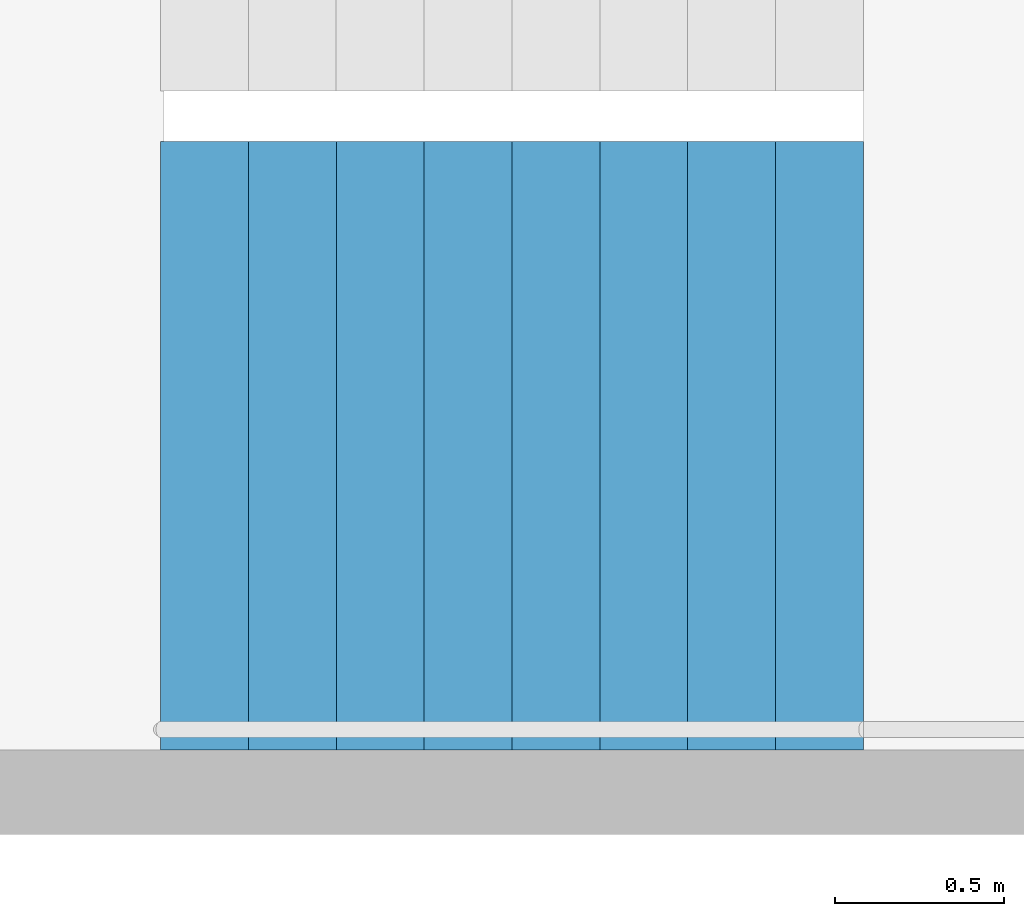
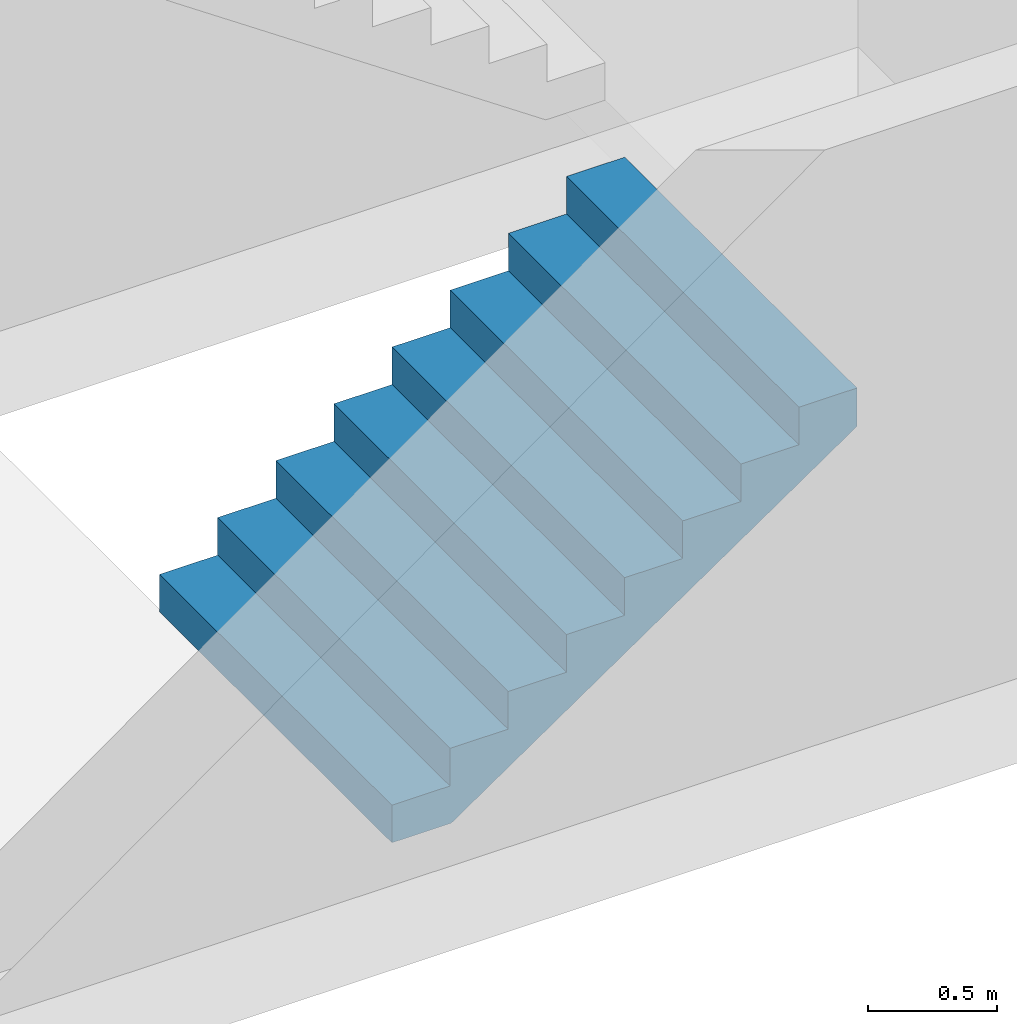
# One storey, part 23 of 29: 1 stair flight, 1 element without a shape of its own.
"""IFC4 building model written with IfcOpenShell, lengths in metres."""

from ifc_helpers import new_model, si_unit, direction, frame, origin, place, context, subcontext, project, spatial, triangles, material, type_object, element, aggregate, save


model = new_model("IFC4")

# Units and contexts
model_context = context("Model", 3, precision=1e-05, world=origin(), true_north=direction((0.0, 1.0)))
body_context = subcontext(model_context, "Body", "Model", "MODEL_VIEW")
ifc_project = project(units=[si_unit("LENGTHUNIT", "METRE"), si_unit("AREAUNIT", "SQUARE_METRE"), si_unit("VOLUMEUNIT", "CUBIC_METRE"), si_unit("PLANEANGLEUNIT", "RADIAN"), si_unit("MASSUNIT", "GRAM", prefix="KILO")], contexts=[model_context])

# Site, building, storey
site_placement = place(None, origin())
site = spatial("IfcSite", under=ifc_project, at=site_placement, CompositionType="ELEMENT")
building_placement = place(site_placement, origin())
building = spatial("IfcBuilding", under=site, at=building_placement, Name="Hakoniwa Tower and Hamabe Station Hall", CompositionType="ELEMENT")
storey_placement = place(building_placement, frame((0.0, 0.0, 29.39990234375)))
storey = spatial("IfcBuildingStorey", under=building, at=storey_placement, Name="L07", CompositionType="ELEMENT", Elevation=29.39990234375)

# Stair, stair flight
ifc_material_1 = material(Name="Concrete C40", Category="concrete")
stair_type = type_object("IfcStairType", Name="ESCAPE STAIR 1800", PredefinedType="HALF_TURN_STAIR", material=ifc_material_1)
stair_placement = place(storey_placement, origin())
stair = element("IfcStair", 1, at=stair_placement, inside=storey, type_object=stair_type, Name="Escape stair ST-1 L07", PredefinedType="HALF_TURN_STAIR")
ifc_material_2 = material(Name="Concrete C40", Category="concrete")
stair_flight_type = type_object("IfcStairFlightType", Name="STAIR FLIGHT 1800", PredefinedType="STRAIGHT", material=ifc_material_2)
stair_flight_placement = place(storey_placement, frame((-24.39990234375, 4.64990234375, 0.0), z_axis=(0.0, 0.0, 1.0), x_axis=(1.0, 0.0, 0.0)))
stair_flight = element("IfcStairFlight", 2, at=stair_flight_placement, type_object=stair_flight_type, Name="ST-1 flight 1", NumberOfRisers=9, NumberOfTreads=8, PredefinedType="STRAIGHT", RiserHeight=0.177777778, TreadLength=0.26, context=body_context, shape_type="Tessellation", body=[
    triangles([(0.0, 0.89990234375, 0.0), (0.260009765625, 0.89990234375, 0.0), (0.265625, 0.89990234375, 0.0), (0.52001953125, 0.89990234375, 0.174072265625), (0.780029296875, 0.89990234375, 0.351806640625), (1.0400390625, 0.89990234375, 0.529541015625), (1.300048828125, 0.89990234375, 0.707275390625), (1.56005859375, 0.89990234375, 0.885009765625), (1.820068359375, 0.89990234375, 1.062744140625), (2.080078125, 0.89990234375, 1.24072265625), (2.080078125, 0.89990234375, 1.422119140625), (1.820068359375, 0.89990234375, 1.422119140625), (1.820068359375, 0.89990234375, 1.244384765625), (1.56005859375, 0.89990234375, 1.244384765625), (1.56005859375, 0.89990234375, 1.066650390625), (1.300048828125, 0.89990234375, 1.066650390625), (1.300048828125, 0.89990234375, 0.888916015625), (1.0400390625, 0.89990234375, 0.888916015625), (1.0400390625, 0.89990234375, 0.711181640625), (0.780029296875, 0.89990234375, 0.711181640625), (0.780029296875, 0.89990234375, 0.533447265625), (0.52001953125, 0.89990234375, 0.533447265625), (0.52001953125, 0.89990234375, 0.35546875), (0.265625, 0.89990234375, 0.35546875), (0.260009765625, 0.89990234375, 0.35546875), (0.260009765625, 0.89990234375, 0.177734375), (0.0, 0.89990234375, 0.177734375), (0.0, 0.06005859375, 0.0), (0.260009765625, 0.06005859375, 0.0), (0.265625, 0.06005859375, 0.0), (0.52001953125, 0.06005859375, 0.174072265625), (0.780029296875, 0.06005859375, 0.351806640625), (1.0400390625, 0.06005859375, 0.529541015625), (1.300048828125, 0.06005859375, 0.707275390625), (1.56005859375, 0.06005859375, 0.885009765625), (1.820068359375, 0.06005859375, 1.062744140625), (2.080078125, 0.06005859375, 1.24072265625), (2.080078125, 0.06005859375, 1.422119140625), (1.820068359375, 0.06005859375, 1.422119140625), (1.820068359375, 0.06005859375, 1.244384765625), (1.56005859375, 0.06005859375, 1.244384765625), (1.56005859375, 0.06005859375, 1.066650390625), (1.300048828125, 0.06005859375, 1.066650390625), (1.300048828125, 0.06005859375, 0.888916015625), (1.0400390625, 0.06005859375, 0.888916015625), (1.0400390625, 0.06005859375, 0.711181640625), (0.780029296875, 0.06005859375, 0.711181640625), (0.780029296875, 0.06005859375, 0.533447265625), (0.52001953125, 0.06005859375, 0.533447265625), (0.52001953125, 0.06005859375, 0.35546875), (0.265625, 0.06005859375, 0.35546875), (0.260009765625, 0.06005859375, 0.35546875), (0.260009765625, 0.06005859375, 0.177734375), (0.0, 0.06005859375, 0.177734375), (0.0, 0.04296875, 0.0), (0.260009765625, 0.04296875, 0.0), (0.265625, 0.04296875, 0.0), (0.52001953125, 0.04296875, 0.174072265625), (0.780029296875, 0.04296875, 0.351806640625), (1.0400390625, 0.04296875, 0.529541015625), (1.300048828125, 0.04296875, 0.707275390625), (1.56005859375, 0.04296875, 0.885009765625), (1.820068359375, 0.04296875, 1.062744140625), (2.080078125, 0.04296875, 1.24072265625), (2.080078125, 0.04296875, 1.422119140625), (1.820068359375, 0.04296875, 1.422119140625), (1.820068359375, 0.04296875, 1.244384765625), (1.56005859375, 0.04296875, 1.244384765625), (1.56005859375, 0.04296875, 1.066650390625), (1.300048828125, 0.04296875, 1.066650390625), (1.300048828125, 0.04296875, 0.888916015625), (1.0400390625, 0.04296875, 0.888916015625), (1.0400390625, 0.04296875, 0.711181640625), (0.780029296875, 0.04296875, 0.711181640625), (0.780029296875, 0.04296875, 0.533447265625), (0.52001953125, 0.04296875, 0.533447265625), (0.52001953125, 0.04296875, 0.35546875), (0.265625, 0.04296875, 0.35546875), (0.260009765625, 0.04296875, 0.35546875), (0.260009765625, 0.04296875, 0.177734375), (0.0, 0.04296875, 0.177734375), (0.0, 0.025634765625, 0.0), (0.260009765625, 0.025634765625, 0.0), (0.265625, 0.025634765625, 0.0), (0.52001953125, 0.025634765625, 0.174072265625), (0.780029296875, 0.025634765625, 0.351806640625), (1.0400390625, 0.025634765625, 0.529541015625), (1.300048828125, 0.025634765625, 0.707275390625), (1.56005859375, 0.025634765625, 0.885009765625), (1.820068359375, 0.025634765625, 1.062744140625), (2.080078125, 0.025634765625, 1.24072265625), (2.080078125, 0.025634765625, 1.422119140625), (1.820068359375, 0.025634765625, 1.422119140625), (1.820068359375, 0.025634765625, 1.244384765625), (1.56005859375, 0.025634765625, 1.244384765625), (1.56005859375, 0.025634765625, 1.066650390625), (1.300048828125, 0.025634765625, 1.066650390625), (1.300048828125, 0.025634765625, 0.888916015625), (1.0400390625, 0.025634765625, 0.888916015625), (1.0400390625, 0.025634765625, 0.711181640625), (0.780029296875, 0.025634765625, 0.711181640625), (0.780029296875, 0.025634765625, 0.533447265625), (0.52001953125, 0.025634765625, 0.533447265625), (0.52001953125, 0.025634765625, 0.35546875), (0.265625, 0.025634765625, 0.35546875), (0.260009765625, 0.025634765625, 0.35546875), (0.260009765625, 0.025634765625, 0.177734375), (0.0, 0.025634765625, 0.177734375), (0.0, 0.008544921875, 0.0), (0.260009765625, 0.008544921875, 0.0), (0.265625, 0.008544921875, 0.0), (0.52001953125, 0.008544921875, 0.174072265625), (0.780029296875, 0.008544921875, 0.351806640625), (1.0400390625, 0.008544921875, 0.529541015625), (1.300048828125, 0.008544921875, 0.707275390625), (1.56005859375, 0.008544921875, 0.885009765625), (1.820068359375, 0.008544921875, 1.062744140625), (2.080078125, 0.008544921875, 1.24072265625), (2.080078125, 0.008544921875, 1.422119140625), (1.820068359375, 0.008544921875, 1.422119140625), (1.820068359375, 0.008544921875, 1.244384765625), (1.56005859375, 0.008544921875, 1.244384765625), (1.56005859375, 0.008544921875, 1.066650390625), (1.300048828125, 0.008544921875, 1.066650390625), (1.300048828125, 0.008544921875, 0.888916015625), (1.0400390625, 0.008544921875, 0.888916015625), (1.0400390625, 0.008544921875, 0.711181640625), (0.780029296875, 0.008544921875, 0.711181640625), (0.780029296875, 0.008544921875, 0.533447265625), (0.52001953125, 0.008544921875, 0.533447265625), (0.52001953125, 0.008544921875, 0.35546875), (0.265625, 0.008544921875, 0.35546875), (0.260009765625, 0.008544921875, 0.35546875), (0.260009765625, 0.008544921875, 0.177734375), (0.0, 0.008544921875, 0.177734375), (0.0, -0.008544921875, 0.0), (0.260009765625, -0.008544921875, 0.0), (0.265625, -0.008544921875, 0.0), (0.52001953125, -0.008544921875, 0.174072265625), (0.780029296875, -0.008544921875, 0.351806640625), (1.0400390625, -0.008544921875, 0.529541015625), (1.300048828125, -0.008544921875, 0.707275390625), (1.56005859375, -0.008544921875, 0.885009765625), (1.820068359375, -0.008544921875, 1.062744140625), (2.080078125, -0.008544921875, 1.24072265625), (2.080078125, -0.008544921875, 1.422119140625), (1.820068359375, -0.008544921875, 1.422119140625), (1.820068359375, -0.008544921875, 1.244384765625), (1.56005859375, -0.008544921875, 1.244384765625), (1.56005859375, -0.008544921875, 1.066650390625), (1.300048828125, -0.008544921875, 1.066650390625), (1.300048828125, -0.008544921875, 0.888916015625), (1.0400390625, -0.008544921875, 0.888916015625), (1.0400390625, -0.008544921875, 0.711181640625), (0.780029296875, -0.008544921875, 0.711181640625), (0.780029296875, -0.008544921875, 0.533447265625), (0.52001953125, -0.008544921875, 0.533447265625), (0.52001953125, -0.008544921875, 0.35546875), (0.265625, -0.008544921875, 0.35546875), (0.260009765625, -0.008544921875, 0.35546875), (0.260009765625, -0.008544921875, 0.177734375), (0.0, -0.008544921875, 0.177734375), (0.0, -0.025634765625, 0.0), (0.260009765625, -0.025634765625, 0.0), (0.265625, -0.025634765625, 0.0), (0.52001953125, -0.025634765625, 0.174072265625), (0.780029296875, -0.025634765625, 0.351806640625), (1.0400390625, -0.025634765625, 0.529541015625), (1.300048828125, -0.025634765625, 0.707275390625), (1.56005859375, -0.025634765625, 0.885009765625), (1.820068359375, -0.025634765625, 1.062744140625), (2.080078125, -0.025634765625, 1.24072265625), (2.080078125, -0.025634765625, 1.422119140625), (1.820068359375, -0.025634765625, 1.422119140625), (1.820068359375, -0.025634765625, 1.244384765625), (1.56005859375, -0.025634765625, 1.244384765625), (1.56005859375, -0.025634765625, 1.066650390625), (1.300048828125, -0.025634765625, 1.066650390625), (1.300048828125, -0.025634765625, 0.888916015625), (1.0400390625, -0.025634765625, 0.888916015625), (1.0400390625, -0.025634765625, 0.711181640625), (0.780029296875, -0.025634765625, 0.711181640625), (0.780029296875, -0.025634765625, 0.533447265625), (0.52001953125, -0.025634765625, 0.533447265625), (0.52001953125, -0.025634765625, 0.35546875), (0.265625, -0.025634765625, 0.35546875), (0.260009765625, -0.025634765625, 0.35546875), (0.260009765625, -0.025634765625, 0.177734375), (0.0, -0.025634765625, 0.177734375), (0.0, -0.04296875, 0.0), (0.260009765625, -0.04296875, 0.0), (0.265625, -0.04296875, 0.0), (0.52001953125, -0.04296875, 0.174072265625), (0.780029296875, -0.04296875, 0.351806640625), (1.0400390625, -0.04296875, 0.529541015625), (1.300048828125, -0.04296875, 0.707275390625), (1.56005859375, -0.04296875, 0.885009765625), (1.820068359375, -0.04296875, 1.062744140625), (2.080078125, -0.04296875, 1.24072265625), (2.080078125, -0.04296875, 1.422119140625), (1.820068359375, -0.04296875, 1.422119140625), (1.820068359375, -0.04296875, 1.244384765625), (1.56005859375, -0.04296875, 1.244384765625), (1.56005859375, -0.04296875, 1.066650390625), (1.300048828125, -0.04296875, 1.066650390625), (1.300048828125, -0.04296875, 0.888916015625), (1.0400390625, -0.04296875, 0.888916015625), (1.0400390625, -0.04296875, 0.711181640625), (0.780029296875, -0.04296875, 0.711181640625), (0.780029296875, -0.04296875, 0.533447265625), (0.52001953125, -0.04296875, 0.533447265625), (0.52001953125, -0.04296875, 0.35546875), (0.265625, -0.04296875, 0.35546875), (0.260009765625, -0.04296875, 0.35546875), (0.260009765625, -0.04296875, 0.177734375), (0.0, -0.04296875, 0.177734375), (0.0, -0.06005859375, 0.0), (0.260009765625, -0.06005859375, 0.0), (0.265625, -0.06005859375, 0.0), (0.52001953125, -0.06005859375, 0.174072265625), (0.780029296875, -0.06005859375, 0.351806640625), (1.0400390625, -0.06005859375, 0.529541015625), (1.300048828125, -0.06005859375, 0.707275390625), (1.56005859375, -0.06005859375, 0.885009765625), (1.820068359375, -0.06005859375, 1.062744140625), (2.080078125, -0.06005859375, 1.24072265625), (2.080078125, -0.06005859375, 1.422119140625), (1.820068359375, -0.06005859375, 1.422119140625), (1.820068359375, -0.06005859375, 1.244384765625), (1.56005859375, -0.06005859375, 1.244384765625), (1.56005859375, -0.06005859375, 1.066650390625), (1.300048828125, -0.06005859375, 1.066650390625), (1.300048828125, -0.06005859375, 0.888916015625), (1.0400390625, -0.06005859375, 0.888916015625), (1.0400390625, -0.06005859375, 0.711181640625), (0.780029296875, -0.06005859375, 0.711181640625), (0.780029296875, -0.06005859375, 0.533447265625), (0.52001953125, -0.06005859375, 0.533447265625), (0.52001953125, -0.06005859375, 0.35546875), (0.265625, -0.06005859375, 0.35546875), (0.260009765625, -0.06005859375, 0.35546875), (0.260009765625, -0.06005859375, 0.177734375), (0.0, -0.06005859375, 0.177734375), (0.0, -0.89990234375, 0.0), (0.260009765625, -0.89990234375, 0.0), (0.265625, -0.89990234375, 0.0), (0.52001953125, -0.89990234375, 0.174072265625), (0.780029296875, -0.89990234375, 0.351806640625), (1.0400390625, -0.89990234375, 0.529541015625), (1.300048828125, -0.89990234375, 0.707275390625), (1.56005859375, -0.89990234375, 0.885009765625), (1.820068359375, -0.89990234375, 1.062744140625), (2.080078125, -0.89990234375, 1.24072265625), (2.080078125, -0.89990234375, 1.422119140625), (1.820068359375, -0.89990234375, 1.422119140625), (1.820068359375, -0.89990234375, 1.244384765625), (1.56005859375, -0.89990234375, 1.244384765625), (1.56005859375, -0.89990234375, 1.066650390625), (1.300048828125, -0.89990234375, 1.066650390625), (1.300048828125, -0.89990234375, 0.888916015625), (1.0400390625, -0.89990234375, 0.888916015625), (1.0400390625, -0.89990234375, 0.711181640625), (0.780029296875, -0.89990234375, 0.711181640625), (0.780029296875, -0.89990234375, 0.533447265625), (0.52001953125, -0.89990234375, 0.533447265625), (0.52001953125, -0.89990234375, 0.35546875), (0.265625, -0.89990234375, 0.35546875), (0.260009765625, -0.89990234375, 0.35546875), (0.260009765625, -0.89990234375, 0.177734375), (0.0, -0.89990234375, 0.177734375)], [[2, 27, 26], [245, 269, 270], [2, 1, 27], [245, 270, 244], [3, 25, 24], [246, 267, 268], [3, 26, 25], [246, 268, 269], [3, 2, 26], [246, 269, 245], [4, 24, 23], [247, 266, 267], [4, 3, 24], [247, 267, 246], [5, 22, 21], [248, 264, 265], [5, 23, 22], [248, 265, 266], [5, 4, 23], [248, 266, 247], [6, 20, 19], [249, 262, 263], [6, 21, 20], [249, 263, 264], [6, 5, 21], [249, 264, 248], [7, 18, 17], [250, 260, 261], [7, 19, 18], [250, 261, 262], [7, 6, 19], [250, 262, 249], [8, 16, 15], [251, 258, 259], [8, 17, 16], [251, 259, 260], [8, 7, 17], [251, 260, 250], [9, 14, 13], [252, 256, 257], [9, 15, 14], [252, 257, 258], [9, 8, 15], [252, 258, 251], [10, 12, 11], [253, 254, 255], [10, 13, 12], [253, 255, 256], [10, 9, 13], [253, 256, 252], [1, 2, 29], [1, 29, 28], [28, 29, 56], [28, 56, 55], [55, 56, 83], [55, 83, 82], [82, 83, 110], [82, 110, 109], [109, 110, 137], [109, 137, 136], [136, 137, 164], [136, 164, 163], [163, 164, 191], [163, 191, 190], [190, 191, 218], [190, 218, 217], [217, 218, 245], [217, 245, 244], [2, 3, 30], [2, 30, 29], [29, 30, 57], [29, 57, 56], [56, 57, 84], [56, 84, 83], [83, 84, 111], [83, 111, 110], [110, 111, 138], [110, 138, 137], [137, 138, 165], [137, 165, 164], [164, 165, 192], [164, 192, 191], [191, 192, 219], [191, 219, 218], [218, 219, 246], [218, 246, 245], [3, 4, 31], [3, 31, 30], [30, 31, 58], [30, 58, 57], [57, 58, 85], [57, 85, 84], [84, 85, 112], [84, 112, 111], [111, 112, 139], [111, 139, 138], [138, 139, 166], [138, 166, 165], [165, 166, 193], [165, 193, 192], [192, 193, 220], [192, 220, 219], [219, 220, 247], [219, 247, 246], [4, 5, 32], [4, 32, 31], [31, 32, 59], [31, 59, 58], [58, 59, 86], [58, 86, 85], [85, 86, 113], [85, 113, 112], [112, 113, 140], [112, 140, 139], [139, 140, 167], [139, 167, 166], [166, 167, 194], [166, 194, 193], [193, 194, 221], [193, 221, 220], [220, 221, 248], [220, 248, 247], [5, 6, 33], [5, 33, 32], [32, 33, 60], [32, 60, 59], [59, 60, 87], [59, 87, 86], [86, 87, 114], [86, 114, 113], [113, 114, 141], [113, 141, 140], [140, 141, 168], [140, 168, 167], [167, 168, 195], [167, 195, 194], [194, 195, 222], [194, 222, 221], [221, 222, 249], [221, 249, 248], [6, 7, 34], [6, 34, 33], [33, 34, 61], [33, 61, 60], [60, 61, 88], [60, 88, 87], [87, 88, 115], [87, 115, 114], [114, 115, 142], [114, 142, 141], [141, 142, 169], [141, 169, 168], [168, 169, 196], [168, 196, 195], [195, 196, 223], [195, 223, 222], [222, 223, 250], [222, 250, 249], [7, 8, 35], [7, 35, 34], [34, 35, 62], [34, 62, 61], [61, 62, 89], [61, 89, 88], [88, 89, 116], [88, 116, 115], [115, 116, 143], [115, 143, 142], [142, 143, 170], [142, 170, 169], [169, 170, 197], [169, 197, 196], [196, 197, 224], [196, 224, 223], [223, 224, 251], [223, 251, 250], [8, 9, 36], [8, 36, 35], [35, 36, 63], [35, 63, 62], [62, 63, 90], [62, 90, 89], [89, 90, 117], [89, 117, 116], [116, 117, 144], [116, 144, 143], [143, 144, 171], [143, 171, 170], [170, 171, 198], [170, 198, 197], [197, 198, 225], [197, 225, 224], [224, 225, 252], [224, 252, 251], [9, 10, 37], [9, 37, 36], [36, 37, 64], [36, 64, 63], [63, 64, 91], [63, 91, 90], [90, 91, 118], [90, 118, 117], [117, 118, 145], [117, 145, 144], [144, 145, 172], [144, 172, 171], [171, 172, 199], [171, 199, 198], [198, 199, 226], [198, 226, 225], [225, 226, 253], [225, 253, 252], [10, 11, 38], [10, 38, 37], [37, 38, 65], [37, 65, 64], [64, 65, 92], [64, 92, 91], [91, 92, 119], [91, 119, 118], [118, 119, 146], [118, 146, 145], [145, 146, 173], [145, 173, 172], [172, 173, 200], [172, 200, 199], [199, 200, 227], [199, 227, 226], [226, 227, 254], [226, 254, 253], [11, 12, 39], [11, 39, 38], [38, 39, 66], [38, 66, 65], [65, 66, 93], [65, 93, 92], [92, 93, 120], [92, 120, 119], [119, 120, 147], [119, 147, 146], [146, 147, 174], [146, 174, 173], [173, 174, 201], [173, 201, 200], [200, 201, 228], [200, 228, 227], [227, 228, 255], [227, 255, 254], [12, 13, 40], [12, 40, 39], [39, 40, 67], [39, 67, 66], [66, 67, 94], [66, 94, 93], [93, 94, 121], [93, 121, 120], [120, 121, 148], [120, 148, 147], [147, 148, 175], [147, 175, 174], [174, 175, 202], [174, 202, 201], [201, 202, 229], [201, 229, 228], [228, 229, 256], [228, 256, 255], [13, 14, 41], [13, 41, 40], [40, 41, 68], [40, 68, 67], [67, 68, 95], [67, 95, 94], [94, 95, 122], [94, 122, 121], [121, 122, 149], [121, 149, 148], [148, 149, 176], [148, 176, 175], [175, 176, 203], [175, 203, 202], [202, 203, 230], [202, 230, 229], [229, 230, 257], [229, 257, 256], [14, 15, 42], [14, 42, 41], [41, 42, 69], [41, 69, 68], [68, 69, 96], [68, 96, 95], [95, 96, 123], [95, 123, 122], [122, 123, 150], [122, 150, 149], [149, 150, 177], [149, 177, 176], [176, 177, 204], [176, 204, 203], [203, 204, 231], [203, 231, 230], [230, 231, 258], [230, 258, 257], [15, 16, 43], [15, 43, 42], [42, 43, 70], [42, 70, 69], [69, 70, 97], [69, 97, 96], [96, 97, 124], [96, 124, 123], [123, 124, 151], [123, 151, 150], [150, 151, 178], [150, 178, 177], [177, 178, 205], [177, 205, 204], [204, 205, 232], [204, 232, 231], [231, 232, 259], [231, 259, 258], [16, 17, 44], [16, 44, 43], [43, 44, 71], [43, 71, 70], [70, 71, 98], [70, 98, 97], [97, 98, 125], [97, 125, 124], [124, 125, 152], [124, 152, 151], [151, 152, 179], [151, 179, 178], [178, 179, 206], [178, 206, 205], [205, 206, 233], [205, 233, 232], [232, 233, 260], [232, 260, 259], [17, 18, 45], [17, 45, 44], [44, 45, 72], [44, 72, 71], [71, 72, 99], [71, 99, 98], [98, 99, 126], [98, 126, 125], [125, 126, 153], [125, 153, 152], [152, 153, 180], [152, 180, 179], [179, 180, 207], [179, 207, 206], [206, 207, 234], [206, 234, 233], [233, 234, 261], [233, 261, 260], [18, 19, 46], [18, 46, 45], [45, 46, 73], [45, 73, 72], [72, 73, 100], [72, 100, 99], [99, 100, 127], [99, 127, 126], [126, 127, 154], [126, 154, 153], [153, 154, 181], [153, 181, 180], [180, 181, 208], [180, 208, 207], [207, 208, 235], [207, 235, 234], [234, 235, 262], [234, 262, 261], [19, 20, 47], [19, 47, 46], [46, 47, 74], [46, 74, 73], [73, 74, 101], [73, 101, 100], [100, 101, 128], [100, 128, 127], [127, 128, 155], [127, 155, 154], [154, 155, 182], [154, 182, 181], [181, 182, 209], [181, 209, 208], [208, 209, 236], [208, 236, 235], [235, 236, 263], [235, 263, 262], [20, 21, 48], [20, 48, 47], [47, 48, 75], [47, 75, 74], [74, 75, 102], [74, 102, 101], [101, 102, 129], [101, 129, 128], [128, 129, 156], [128, 156, 155], [155, 156, 183], [155, 183, 182], [182, 183, 210], [182, 210, 209], [209, 210, 237], [209, 237, 236], [236, 237, 264], [236, 264, 263], [21, 22, 49], [21, 49, 48], [48, 49, 76], [48, 76, 75], [75, 76, 103], [75, 103, 102], [102, 103, 130], [102, 130, 129], [129, 130, 157], [129, 157, 156], [156, 157, 184], [156, 184, 183], [183, 184, 211], [183, 211, 210], [210, 211, 238], [210, 238, 237], [237, 238, 265], [237, 265, 264], [22, 23, 50], [22, 50, 49], [49, 50, 77], [49, 77, 76], [76, 77, 104], [76, 104, 103], [103, 104, 131], [103, 131, 130], [130, 131, 158], [130, 158, 157], [157, 158, 185], [157, 185, 184], [184, 185, 212], [184, 212, 211], [211, 212, 239], [211, 239, 238], [238, 239, 266], [238, 266, 265], [23, 24, 51], [23, 51, 50], [50, 51, 78], [50, 78, 77], [77, 78, 105], [77, 105, 104], [104, 105, 132], [104, 132, 131], [131, 132, 159], [131, 159, 158], [158, 159, 186], [158, 186, 185], [185, 186, 213], [185, 213, 212], [212, 213, 240], [212, 240, 239], [239, 240, 267], [239, 267, 266], [24, 25, 52], [24, 52, 51], [51, 52, 79], [51, 79, 78], [78, 79, 106], [78, 106, 105], [105, 106, 133], [105, 133, 132], [132, 133, 160], [132, 160, 159], [159, 160, 187], [159, 187, 186], [186, 187, 214], [186, 214, 213], [213, 214, 241], [213, 241, 240], [240, 241, 268], [240, 268, 267], [25, 26, 53], [25, 53, 52], [52, 53, 80], [52, 80, 79], [79, 80, 107], [79, 107, 106], [106, 107, 134], [106, 134, 133], [133, 134, 161], [133, 161, 160], [160, 161, 188], [160, 188, 187], [187, 188, 215], [187, 215, 214], [214, 215, 242], [214, 242, 241], [241, 242, 269], [241, 269, 268], [26, 27, 54], [26, 54, 53], [53, 54, 81], [53, 81, 80], [80, 81, 108], [80, 108, 107], [107, 108, 135], [107, 135, 134], [134, 135, 162], [134, 162, 161], [161, 162, 189], [161, 189, 188], [188, 189, 216], [188, 216, 215], [215, 216, 243], [215, 243, 242], [242, 243, 270], [242, 270, 269], [27, 1, 28], [27, 28, 54], [54, 28, 55], [54, 55, 81], [81, 55, 82], [81, 82, 108], [108, 82, 109], [108, 109, 135], [135, 109, 136], [135, 136, 162], [162, 136, 163], [162, 163, 189], [189, 163, 190], [189, 190, 216], [216, 190, 217], [216, 217, 243], [243, 217, 244], [243, 244, 270]], closed=True),
])
aggregate(stair, [stair_flight])

save(model, "model.ifc")
